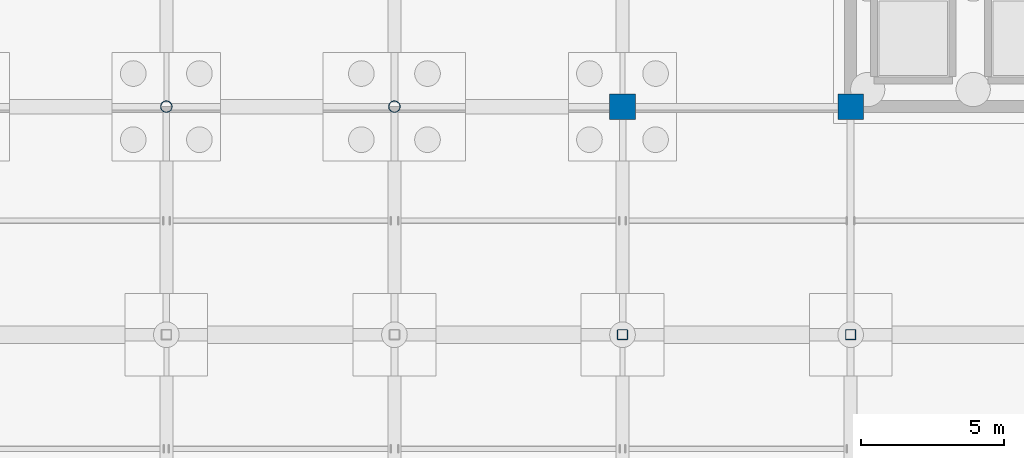
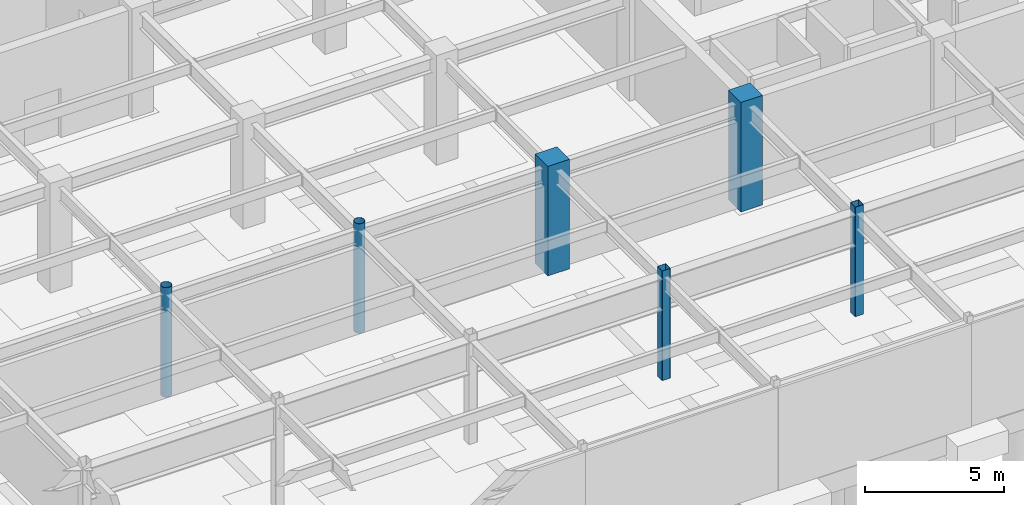
# One storey, part 41 of 105: 6 columns.
"""IFC4 building model written with IfcOpenShell, lengths in metres."""

from ifc_helpers import new_model, si_unit, direction, frame, origin, origin_2d, place, context, subcontext, project, spatial, rectangle, hollow_rectangle, hollow_circle, extrude, material, material_profile, profile_set, type_object, element, save


model = new_model("IFC4")

# Units and contexts
model_context = context("Model", 3, precision=1e-05, world=origin(), true_north=direction((0.0, 1.0)))
body_context = subcontext(model_context, "Body", "Model", "MODEL_VIEW")
ifc_project = project(units=[si_unit("LENGTHUNIT", "METRE"), si_unit("AREAUNIT", "SQUARE_METRE"), si_unit("VOLUMEUNIT", "CUBIC_METRE"), si_unit("PLANEANGLEUNIT", "RADIAN"), si_unit("MASSUNIT", "GRAM", prefix="KILO")], contexts=[model_context])

# Site, building, storey
site_placement = place(None, origin())
site = spatial("IfcSite", under=ifc_project, at=site_placement, CompositionType="ELEMENT")
building_placement = place(site_placement, origin())
building = spatial("IfcBuilding", under=site, at=building_placement, Name="Solmirada Galleria", CompositionType="ELEMENT")
storey_placement = place(building_placement, frame((0.0, 0.0, -4.800048828125)))
storey = spatial("IfcBuildingStorey", under=building, at=storey_placement, Name="B1", CompositionType="ELEMENT", Elevation=-4.800048828125)

# Columns
ifc_material_1 = material(Name="Steel S355 / ASTM A500 Grade C", Category="steel")
ifc_material_profile_1 = material_profile(ifc_material_1, hollow_circle(Radius=0.202880859375, WallThickness=0.01171875, at=origin_2d()), Name="HSS16.000X0.500")
ifc_profile_set_1 = profile_set([ifc_material_profile_1], Name="Steel S355 / ASTM A500 Grade C")
column_type_1 = type_object("IfcColumnType", Name="COL-CHS16", PredefinedType="COLUMN", material=ifc_profile_set_1)
for number, where, z_axis, x_axis, name in (
    (1, (136.0, 88.0, 0.0), (0.0, 0.0, 1.0), (1.0, 0.0, 0.0), "Structural column B1-1160"),
    (2, (144.0, 88.0, 0.0), (0.0, 0.0, 1.0), (1.0, 0.0, 0.0), "Structural column B1-1246"),
):
    element("IfcColumn", number, at=place(storey_placement, frame(where, z_axis=z_axis, x_axis=x_axis)), inside=storey, type_object=column_type_1, Name=name, PredefinedType="COLUMN", context=body_context, shape_type="SweptSolid", body=[
        extrude(hollow_circle(Radius=0.202880859375, WallThickness=0.01171875, at=origin_2d()), origin(), (0.0, 0.0, 1.0), 4.800048828125),
    ])
ifc_material_profile_2 = material_profile(ifc_material_1, hollow_rectangle(XDim=0.35595703125, YDim=0.35595703125, WallThickness=0.01171875, InnerFilletRadius=0.01171875, OuterFilletRadius=0.023681640625, at=origin_2d()), Name="HSS14X14X1/2")
ifc_profile_set_2 = profile_set([ifc_material_profile_2], Name="Steel S355 / ASTM A500 Grade C")
column_type_2 = type_object("IfcColumnType", Name="COL-HSS14", PredefinedType="COLUMN", material=ifc_profile_set_2)
for number, where, z_axis, x_axis, name in (
    (3, (152.0, 80.0, 0.0), (0.0, 0.0, 1.0), (1.0, 0.0, 0.0), "Structural column B1-1314"),
    (4, (160.0, 80.0, 0.0), (0.0, 0.0, 1.0), (1.0, 0.0, 0.0), "Structural column B1-1387"),
):
    element("IfcColumn", number, at=place(storey_placement, frame(where, z_axis=z_axis, x_axis=x_axis)), inside=storey, type_object=column_type_2, Name=name, PredefinedType="COLUMN", context=body_context, shape_type="SweptSolid", body=[
        extrude(hollow_rectangle(XDim=0.35595703125, YDim=0.35595703125, WallThickness=0.01171875, InnerFilletRadius=0.01171875, OuterFilletRadius=0.023681640625, at=origin_2d()), origin(), (0.0, 0.0, 1.0), 4.800048828125),
    ])
ifc_material_2 = material(Name="Concrete C40/50", Category="concrete")
ifc_material_profile_3 = material_profile(ifc_material_2, rectangle(XDim=0.89990234375, YDim=0.89990234375, at=origin_2d()), Name="RC900X900")
ifc_profile_set_3 = profile_set([ifc_material_profile_3], Name="Concrete C40/50")
column_type_3 = type_object("IfcColumnType", Name="COL-RC900", PredefinedType="COLUMN", material=ifc_profile_set_3)
for number, where, z_axis, x_axis, name in (
    (5, (152.0, 88.0, 0.0), (0.0, 0.0, 1.0), (1.0, 0.0, 0.0), "Structural column B1-1319"),
    (6, (160.0, 88.0, 0.0), (0.0, 0.0, 1.0), (1.0, 0.0, 0.0), "Structural column B1-1392"),
):
    element("IfcColumn", number, at=place(storey_placement, frame(where, z_axis=z_axis, x_axis=x_axis)), inside=storey, type_object=column_type_3, Name=name, PredefinedType="COLUMN", context=body_context, shape_type="SweptSolid", body=[
        extrude(rectangle(XDim=0.89990234375, YDim=0.89990234375, at=origin_2d()), origin(), (0.0, 0.0, 1.0), 4.800048828125),
    ])

save(model, "model.ifc")
